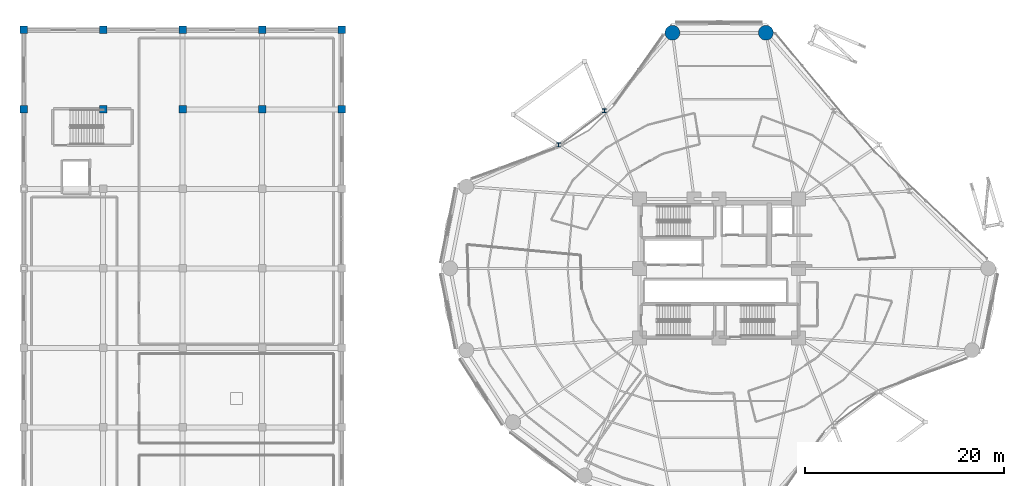
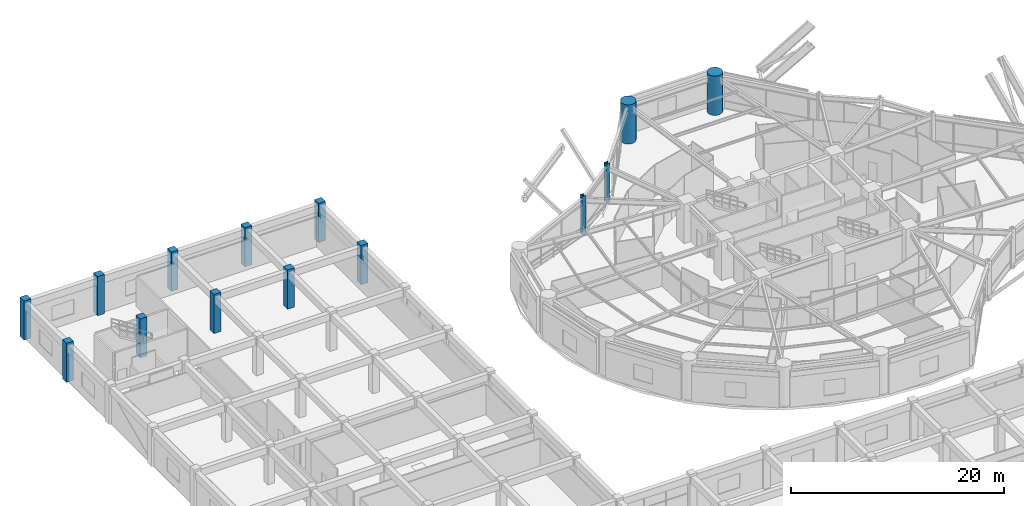
# One storey, part 3 of 55: 14 columns.
"""IFC4 building model written with IfcOpenShell, lengths in metres."""

from ifc_helpers import new_model, si_unit, direction, frame, origin, origin_2d, place, context, subcontext, project, spatial, rectangle, circle, i_section, extrude, material, material_profile, profile_set, type_object, element, save


model = new_model("IFC4")

# Units and contexts
model_context = context("Model", 3, precision=1e-05, world=origin(), true_north=direction((0.0, 1.0)))
body_context = subcontext(model_context, "Body", "Model", "MODEL_VIEW")
ifc_project = project(units=[si_unit("LENGTHUNIT", "METRE"), si_unit("AREAUNIT", "SQUARE_METRE"), si_unit("VOLUMEUNIT", "CUBIC_METRE"), si_unit("PLANEANGLEUNIT", "RADIAN"), si_unit("MASSUNIT", "GRAM", prefix="KILO")], contexts=[model_context])

# Site, building, storey
site_placement = place(None, origin())
site = spatial("IfcSite", under=ifc_project, at=site_placement, CompositionType="ELEMENT")
building_placement = place(site_placement, origin())
building = spatial("IfcBuilding", under=site, at=building_placement, Name="Kelanora Arch Commons", CompositionType="ELEMENT")
storey_placement = place(building_placement, frame((0.0, 0.0, 4.5)))
storey = spatial("IfcBuildingStorey", under=building, at=storey_placement, Name="L01", CompositionType="ELEMENT", Elevation=4.5)

# Columns
ifc_material_1 = material(Name="Concrete C50/60", Category="concrete")
ifc_material_profile_1 = material_profile(ifc_material_1, rectangle(XDim=0.75, YDim=0.75, at=origin_2d()), Name="RC750x750")
ifc_profile_set_1 = profile_set([ifc_material_profile_1], Name="Concrete C50/60")
column_type_1 = type_object("IfcColumnType", Name="COL-MKT-MAIN", PredefinedType="COLUMN", material=ifc_profile_set_1)
for number, where, z_axis, x_axis, name in (
    (1, (4.0, 74.0, 0.0), (0.0, 0.0, 1.0), (1.0, 0.0, 0.0), "Market Hall Column 1-K L01"),
    (2, (4.0, 82.0, 0.0), (0.0, 0.0, 1.0), (1.0, 0.0, 0.0), "Market Hall Column 1-L L01"),
    (3, (12.0, 74.0, 0.0), (0.0, 0.0, 1.0), (1.0, 0.0, 0.0), "Market Hall Column 2-K L01"),
    (4, (12.0, 82.0, 0.0), (0.0, 0.0, 1.0), (1.0, 0.0, 0.0), "Market Hall Column 2-L L01"),
    (5, (20.0, 74.0, 0.0), (0.0, 0.0, 1.0), (1.0, 0.0, 0.0), "Market Hall Column 3-K L01"),
    (6, (20.0, 82.0, 0.0), (0.0, 0.0, 1.0), (1.0, 0.0, 0.0), "Market Hall Column 3-L L01"),
    (7, (28.0, 74.0, 0.0), (0.0, 0.0, 1.0), (1.0, 0.0, 0.0), "Market Hall Column 4-K L01"),
    (8, (28.0, 82.0, 0.0), (0.0, 0.0, 1.0), (1.0, 0.0, 0.0), "Market Hall Column 4-L L01"),
    (9, (36.0, 74.0, 0.0), (0.0, 0.0, 1.0), (1.0, 0.0, 0.0), "Market Hall Column 5-K L01"),
    (10, (36.0, 82.0, 0.0), (0.0, 0.0, 1.0), (1.0, 0.0, 0.0), "Market Hall Column 5-L L01"),
):
    element("IfcColumn", number, at=place(storey_placement, frame(where, z_axis=z_axis, x_axis=x_axis)), inside=storey, type_object=column_type_1, Name=name, PredefinedType="COLUMN", context=body_context, shape_type="SweptSolid", body=[
        extrude(rectangle(XDim=0.75, YDim=0.75, at=origin_2d()), origin(), (0.0, 0.0, 1.0), 4.5),
    ])
ifc_material_2 = material(Name="Concrete C60/75", Category="concrete")
ifc_material_profile_2 = material_profile(ifc_material_2, circle(Radius=0.75, at=origin_2d()), Name="RCC1500")
ifc_profile_set_2 = profile_set([ifc_material_profile_2], Name="Concrete C60/75")
column_type_2 = type_object("IfcColumnType", Name="COL-PERIM-Z1", PredefinedType="COLUMN", material=ifc_profile_set_2)
for number, where, z_axis, x_axis, name in (
    (11, (78.702392578125, 81.714111328125, 0.0), (0.0, 0.0, 1.0), (1.0, 0.0, 0.0), "Perimeter Ring Column CP-08 L01"),
    (12, (69.297607421875, 81.714111328125, 0.0), (0.0, 0.0, 1.0), (1.0, 0.0, 0.0), "Perimeter Ring Column CP-10 L01"),
):
    element("IfcColumn", number, at=place(storey_placement, frame(where, z_axis=z_axis, x_axis=x_axis)), inside=storey, type_object=column_type_2, Name=name, PredefinedType="COLUMN", context=body_context, shape_type="SweptSolid", body=[
        extrude(circle(Radius=0.75, at=origin_2d()), origin(), (0.0, 0.0, 1.0), 4.5),
    ])
ifc_material_3 = material(Name="Steel S355", Category="steel")
ifc_material_profile_3 = material_profile(ifc_material_3, i_section(OverallWidth=0.406005859375, OverallDepth=0.416015625, WebThickness=0.029052734375, FlangeThickness=0.048095703125, FilletRadius=0.014892578125, at=origin_2d()), Name="HD400x382")
ifc_profile_set_3 = profile_set([ifc_material_profile_3], Name="Steel S355")
column_type_3 = type_object("IfcColumnType", Name="COL-PORCH", PredefinedType="COLUMN", material=ifc_profile_set_3)
for number, where, z_axis, x_axis, name in (
    (13, (62.454345703125, 73.866455078125, 0.0), (0.0, 0.0, 1.0), (1.0, 0.0, 0.0), "Recessed Courtyard Column CCC-12 L01"),
    (14, (57.843505859375, 70.426025390625, 0.0), (0.0, 0.0, 1.0), (1.0, 0.0, 0.0), "Recessed Courtyard Column CCC-14 L01"),
):
    element("IfcColumn", number, at=place(storey_placement, frame(where, z_axis=z_axis, x_axis=x_axis)), inside=storey, type_object=column_type_3, Name=name, PredefinedType="COLUMN", context=body_context, shape_type="SweptSolid", body=[
        extrude(i_section(OverallWidth=0.406005859375, OverallDepth=0.416015625, WebThickness=0.029052734375, FlangeThickness=0.048095703125, FilletRadius=0.014892578125, at=origin_2d()), origin(), (0.0, 0.0, 1.0), 4.5),
    ])

save(model, "model.ifc")
